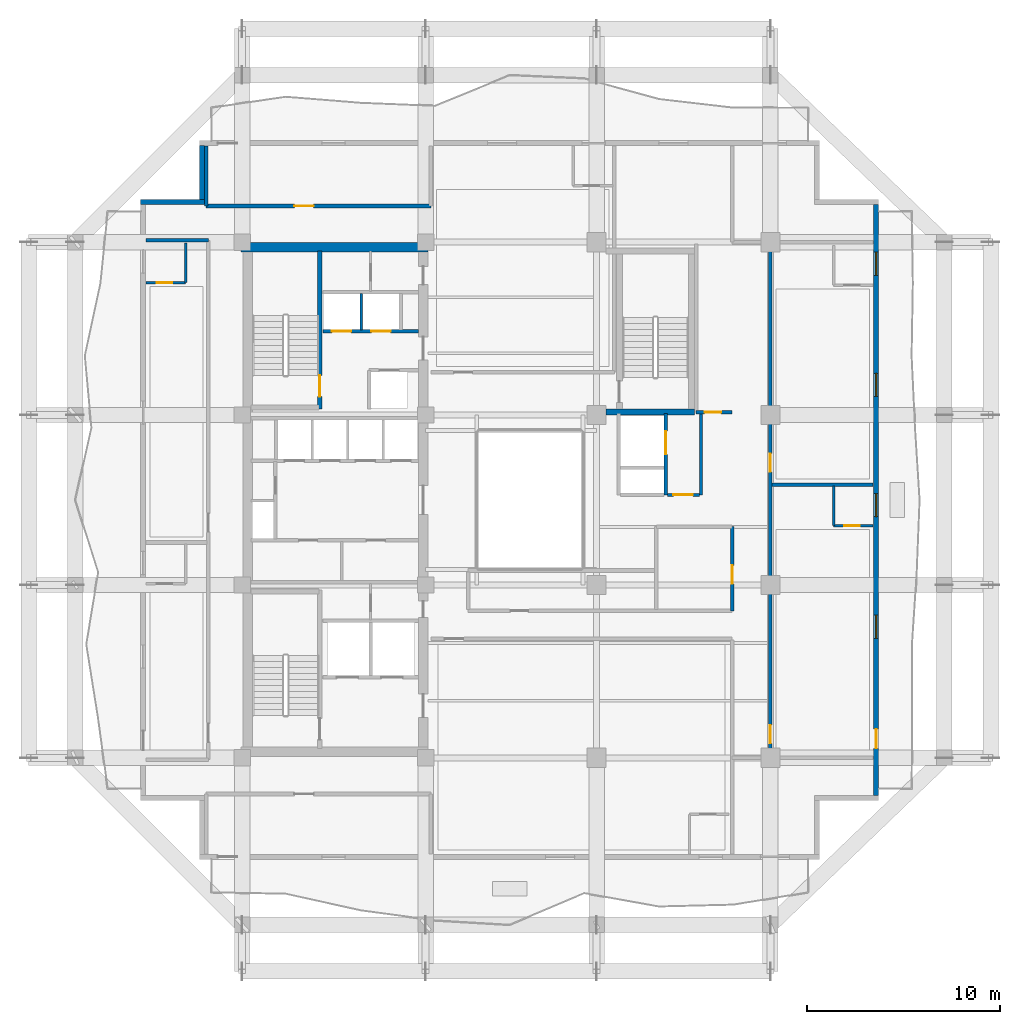
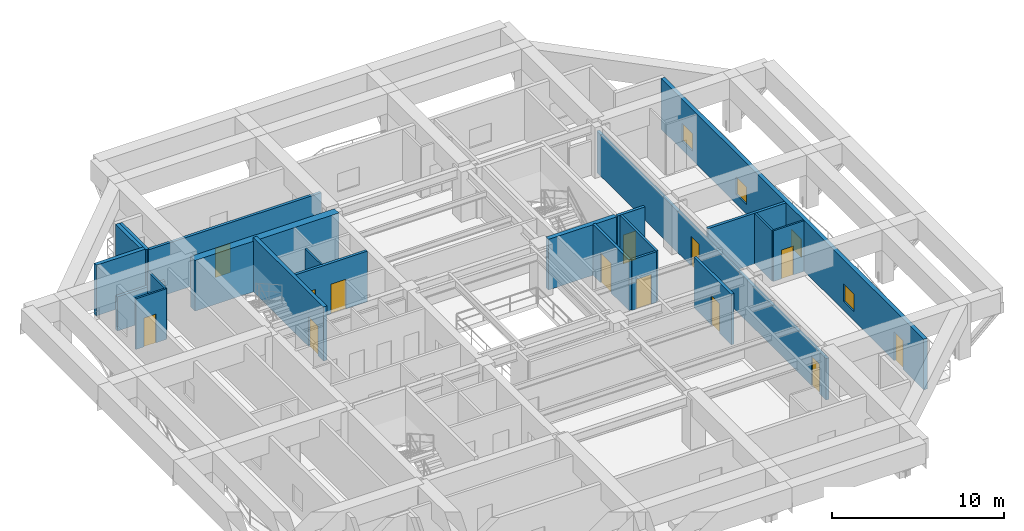
# One storey, part 5 of 11: 22 walls, 13 doors, 4 windows, 17 openings.
"""IFC4 building model written with IfcOpenShell, lengths in metres."""

import ifcopenshell
import ifcopenshell.guid

model = None  # the IFC model being written
_history = None  # IfcOwnerHistory: only IFC2X3 demands one
_inside = {}  # id of a spatial element -> (the spatial element, [elements in it])
_under = {}  # id of a project, library or spatial element -> (it, [spatial elements below it])
_declared = {}  # id of a project -> (the project, [libraries it declares])
_typed = {}  # id of a type object -> (the type object, [elements of that type])
_made_of = {}  # id of a material, layer set ... -> (it, [elements and type objects made of it])


def new_model(schema):
    """Start an empty IFC model of exactly this schema.

    Asked for "IFC4X3", IfcOpenShell would pick the latest addendum, in which some entities
    have other attributes; the version numbers below select the first issue.
    IFC2X3 requires an IfcOwnerHistory on every rooted entity: one is made here for all.
    """
    global model, _history
    if schema == "IFC4X3":
        model = ifcopenshell.file(schema_version=(4, 3, 0, 0))
    else:
        model = ifcopenshell.file(schema=schema)
    _inside.clear()
    _under.clear()
    _declared.clear()
    _typed.clear()
    _made_of.clear()
    _history = None
    if model.schema == "IFC2X3":
        org = make("IfcOrganization", Name="unknown")
        user = make(
            "IfcPersonAndOrganization",
            ThePerson=make("IfcPerson", FamilyName="unknown"),
            TheOrganization=org,
        )
        app = make(
            "IfcApplication",
            ApplicationDeveloper=org,
            Version="unknown",
            ApplicationFullName="unknown",
            ApplicationIdentifier="unknown",
        )
        _history = make(
            "IfcOwnerHistory",
            OwningUser=user,
            OwningApplication=app,
            ChangeAction="ADDED",
            CreationDate=0,
        )
    return model


def make(cls, **values):
    """One entity of the class cls with the attributes given. An attribute that is None is left unset."""
    return model.create_entity(
        cls, **{name: value for name, value in values.items() if value is not None}
    )


def rooted(cls, **values):
    """An entity with a GlobalId (a new one), such as an element, a storey or a relation."""
    return make(cls, GlobalId=ifcopenshell.guid.new(), OwnerHistory=_history, **values)


def si_unit(unit_type, name, prefix=None):
    """IfcSIUnit, for example si_unit("LENGTHUNIT", "METRE", prefix="MILLI")."""
    return make("IfcSIUnit", UnitType=unit_type, Prefix=prefix, Name=name)


def assignment(units):
    """IfcUnitAssignment: the units of a project."""
    return None if units is None else make("IfcUnitAssignment", Units=units)


def point(xyz):
    """IfcCartesianPoint."""
    return None if xyz is None else make("IfcCartesianPoint", Coordinates=xyz)


def direction(xyz):
    """IfcDirection."""
    return None if xyz is None else make("IfcDirection", DirectionRatios=xyz)


def frame(location, z_axis=None, x_axis=None):
    """IfcAxis2Placement3D, a coordinate frame: its origin and axes. An axis left out is left unset."""
    return make(
        "IfcAxis2Placement3D",
        Location=point(location),
        Axis=direction(z_axis),
        RefDirection=direction(x_axis),
    )


def frame_2d(location, x_axis=None):
    """IfcAxis2Placement2D, a coordinate frame in the plane: its origin and x axis."""
    return make(
        "IfcAxis2Placement2D", Location=point(location), RefDirection=direction(x_axis)
    )


def origin():
    """The frame at (0, 0, 0) with its axes left unset."""
    return frame((0.0, 0.0, 0.0))


def place(relative_to, where):
    """IfcLocalPlacement: puts the frame where relative to a parent placement (None: the world)."""
    return make(
        "IfcLocalPlacement", PlacementRelTo=relative_to, RelativePlacement=where
    )


def context(
    kind, dimensions, precision=None, world=None, true_north=None, identifier=None
):
    """IfcGeometricRepresentationContext, for example the 3D "Model" context."""
    return make(
        "IfcGeometricRepresentationContext",
        ContextIdentifier=identifier,
        ContextType=kind,
        CoordinateSpaceDimension=dimensions,
        Precision=precision,
        WorldCoordinateSystem=world,
        TrueNorth=true_north,
    )


def subcontext(parent, identifier, kind, view, scale=None):
    """IfcGeometricRepresentationSubContext, for example "Body" below "Model"."""
    return make(
        "IfcGeometricRepresentationSubContext",
        ContextIdentifier=identifier,
        ContextType=kind,
        ParentContext=parent,
        TargetScale=scale,
        TargetView=view,
    )


def project(units=None, contexts=None):
    """IfcProject with its units and contexts."""
    return rooted(
        "IfcProject",
        Name="project",
        RepresentationContexts=contexts,
        UnitsInContext=assignment(units),
    )


def spatial(cls, under=None, at=None, **own):
    """A site, building, storey or space (cls), placed at a placement, below another one or the project."""
    s = rooted(cls, ObjectPlacement=at, **own)
    if under is not None:
        _under.setdefault(under.id(), (under, []))[1].append(s)
    return s


def profile(cls, at=None, kind="AREA", **sizes):
    """A parametric profile (cls). Its sizes go by their IFC names, for example OverallWidth=200.0."""
    return make(cls, ProfileType=kind, Position=at, **sizes)


def rectangle(**sizes):
    """IfcRectangleProfileDef."""
    return profile("IfcRectangleProfileDef", **sizes)


def extrude(swept, where, along, depth):
    """IfcExtrudedAreaSolid: the profile swept, set in the frame where, extruded along a direction by depth."""
    return make(
        "IfcExtrudedAreaSolid",
        SweptArea=swept,
        Position=where,
        ExtrudedDirection=direction(along),
        Depth=depth,
    )


def shape(context_of_items, identifier, shape_type, items):
    """IfcShapeRepresentation: the items that make up one representation, for example the "Body"."""
    return make(
        "IfcShapeRepresentation",
        ContextOfItems=context_of_items,
        RepresentationIdentifier=identifier,
        RepresentationType=shape_type,
        Items=items,
    )


def material(Name=None, Category=None):
    """IfcMaterial."""
    return make("IfcMaterial", Name=Name, Category=Category)


def layer(
    of_material, thickness, ventilated=None, Name=None, Category=None, Priority=None
):
    """IfcMaterialLayer: one layer of a wall or slab, of a material (None: an air gap)."""
    return make(
        "IfcMaterialLayer",
        Material=of_material,
        LayerThickness=thickness,
        IsVentilated=ventilated,
        Name=Name,
        Category=Category,
        Priority=Priority,
    )


def layer_set(layers, Name=None):
    """IfcMaterialLayerSet."""
    return make("IfcMaterialLayerSet", MaterialLayers=layers, LayerSetName=Name)


def made_of(thing, what):
    """Note that an element or type object is made of a material, layer set ...; save() writes the relation."""
    if what is not None:
        _made_of.setdefault(what.id(), (what, []))[1].append(thing)
    return thing


def type_object(cls, material=None, **own):
    """A type object (cls), such as IfcWallType, which elements share."""
    return made_of(rooted(cls, **own), material)


def element(
    cls,
    number,
    at=None,
    inside=None,
    cuts=None,
    type_object=None,
    material=None,
    context=None,
    identifier="Body",
    shape_type=None,
    held_by="IfcProductDefinitionShape",
    body=None,
    shapes=None,
    **own,
):
    """One element of the class cls, such as IfcWall. Its Tag is "e" and its number.

    at: its placement. inside: the storey or other place that contains it. cuts: it is an
    opening in that element (IfcRelVoidsElement). A single representation is given by context,
    identifier, shape_type and body (its items); several are given by shapes. held_by: the class
    of the entity that holds the representations. save() writes the other relations.
    """
    e = rooted(cls, Tag="e%d" % number, ObjectPlacement=at, **own)
    if body is not None:
        shapes = [shape(context, identifier, shape_type, body)]
    if shapes is not None:
        e.Representation = make(held_by, Representations=shapes)
    if inside is not None:
        _inside.setdefault(inside.id(), (inside, []))[1].append(e)
    if cuts is not None:
        rooted(
            "IfcRelVoidsElement", RelatingBuildingElement=cuts, RelatedOpeningElement=e
        )
    if type_object is not None:
        _typed.setdefault(type_object.id(), (type_object, []))[1].append(e)
    return made_of(e, material)


def fill(opening, filler):
    """IfcRelFillsElement: the door or window that sits in an opening."""
    return rooted(
        "IfcRelFillsElement",
        RelatingOpeningElement=opening,
        RelatedBuildingElement=filler,
    )


def aggregate(whole, parts):
    """IfcRelAggregates: a whole, such as a stair, and the parts it consists of."""
    return rooted("IfcRelAggregates", RelatingObject=whole, RelatedObjects=parts)


def save(model, path):
    """Write the relations noted so far, then the file.

    IfcRelAggregates (storeys below a building ...), IfcRelContainedInSpatialStructure (elements
    in a storey), IfcRelDefinesByType, IfcRelAssociatesMaterial and IfcRelDeclares: one each for
    every whole, place, type object, material and project.
    """
    for whole, parts in _under.values():
        aggregate(whole, parts)
    for where, things in _inside.values():
        rooted(
            "IfcRelContainedInSpatialStructure",
            RelatedElements=things,
            RelatingStructure=where,
        )
    for kind, things in _typed.values():
        rooted("IfcRelDefinesByType", RelatedObjects=things, RelatingType=kind)
    for what, things in _made_of.values():
        rooted("IfcRelAssociatesMaterial", RelatedObjects=things, RelatingMaterial=what)
    for by, libraries in _declared.values():
        rooted("IfcRelDeclares", RelatingContext=by, RelatedDefinitions=libraries)
    model.write(path)


model = new_model("IFC4")

# Units and contexts
model_context = context("Model", 3, precision=1e-05, world=origin(), true_north=direction((0.0, 1.0)))
body_context = subcontext(model_context, "Body", "Model", "MODEL_VIEW")
ifc_project = project(units=[si_unit("LENGTHUNIT", "METRE"), si_unit("AREAUNIT", "SQUARE_METRE"), si_unit("VOLUMEUNIT", "CUBIC_METRE"), si_unit("PLANEANGLEUNIT", "RADIAN"), si_unit("MASSUNIT", "GRAM", prefix="KILO")], contexts=[model_context])

# Site, building, storey
site_placement = place(None, origin())
site = spatial("IfcSite", under=ifc_project, at=site_placement, CompositionType="ELEMENT")
building_placement = place(site_placement, origin())
building = spatial("IfcBuilding", under=site, at=building_placement, Name="Kundavana Baori Tower", CompositionType="ELEMENT")
storey_placement = place(building_placement, frame((0.0, 0.0, 154.050048828125)))
storey = spatial("IfcBuildingStorey", under=building, at=storey_placement, Name="L37", CompositionType="ELEMENT", Elevation=154.050048828125)

# Wall, opening, door
ifc_material_1 = material(Name="Concrete C50/60", Category="concrete")
ifc_layer_1 = layer(ifc_material_1, 0.39990234375, Name="WL-CORE-400")
ifc_layer_set_1 = layer_set([ifc_layer_1], Name="Concrete C50/60")
wall_type_1 = type_object("IfcWallType", Name="WL-CORE-400", PredefinedType="SHEAR", material=ifc_layer_set_1)
wall_1_placement = place(storey_placement, frame((19.4599609375, 33.300048828125, 0.0), z_axis=(0.0, 0.0, 1.0), x_axis=(0.0, 1.0, 0.0)))
wall_1 = element("IfcWall", 1, at=wall_1_placement, inside=storey, type_object=wall_type_1, Name="WL-L37-ST2-E", PredefinedType="SHEAR", context=body_context, shape_type="SweptSolid", body=[
    extrude(rectangle(XDim=8.179931640625, YDim=0.239990234375, at=frame_2d((4.08984375, 0.0))), origin(), (0.0, 0.0, 1.0), 3.849853515625),
])
opening_1_placement = place(wall_1_placement, frame((0.64990234375, 0.0, 0.0)))
opening_1 = element("IfcOpeningElement", 2, at=opening_1_placement, cuts=wall_1, Name="Opening FD-110", PredefinedType="OPENING", context=body_context, shape_type="SweptSolid", body=[
    extrude(rectangle(XDim=1.10009765625, YDim=2.10009765625, at=frame_2d((0.550048828125, 1.050048828125))), frame((0.0, 0.1298828125, 0.0), z_axis=(0.0, -1.0, 0.0), x_axis=(1.0, 0.0, 0.0)), (0.0, 0.0, 1.0), 0.260009765625),
])
ifc_material_2 = material(Name="Galvanised Steel Fire-Rated Door Leaf", Category="steel")
door_type_1 = type_object("IfcDoorType", Name="DR-FD120-1100", OperationType="NOTDEFINED", PredefinedType="DOOR", material=ifc_material_2)
door_1_placement = place(opening_1_placement, origin())
door_1 = element("IfcDoor", 3, at=door_1_placement, inside=storey, type_object=door_type_1, Name="DR-L37-ST2", OperationType="SINGLE_SWING_RIGHT", OverallHeight=2.10009765625, OverallWidth=1.10009765625, PredefinedType="DOOR", context=body_context, shape_type="SweptSolid", body=[
    extrude(rectangle(XDim=1.10009765625, YDim=2.10009765625, at=frame_2d((0.550048828125, 1.050048828125))), frame((0.0, 0.02490234375, 0.0), z_axis=(0.0, -1.0, 0.0), x_axis=(1.0, 0.0, 0.0)), (0.0, 0.0, 1.0), 0.050048828125),
])
fill(opening_1, door_1)

# Wall
ifc_material_3 = material(Name="Concrete C50/60", Category="concrete")
ifc_layer_2 = layer(ifc_material_3, 0.5, Name="WL-CORE-500")
ifc_layer_set_2 = layer_set([ifc_layer_2], Name="Concrete C50/60")
wall_type_2 = type_object("IfcWallType", Name="WL-CORE-500", PredefinedType="SHEAR", material=ifc_layer_set_2)
wall_2_placement = place(storey_placement, frame((15.39990234375, 41.68994140625, 0.0), z_axis=(0.0, 0.0, 1.0), x_axis=(1.0, 0.0, 0.0)))
element("IfcWall", 4, at=wall_2_placement, inside=storey, type_object=wall_type_2, Name="L37 Offset Core North Shear Wall", PredefinedType="SHEAR", context=body_context, shape_type="SweptSolid", body=[
    extrude(rectangle(XDim=9.68017578125, YDim=0.5, at=frame_2d((4.840087890625, 0.0))), origin(), (0.0, 0.0, 1.0), 3.599853515625),
])

# Wall, openings, door, windows
ifc_material_4 = material(Name="Kiln-Fired Terracotta Brick-Slip Masonry on Concrete C40/50", Category="masonry")
ifc_layer_3 = layer(ifc_material_4, 0.260009765625, Name="WL-EXT-BRK-260")
ifc_layer_set_3 = layer_set([ifc_layer_3], Name="Kiln-Fired Terracotta Brick-Slip Masonry on Concrete C40/50")
wall_type_3 = type_object("IfcWallType", Name="WL-EXT-BRK-260", PredefinedType="SOLIDWALL", material=ifc_layer_set_3)
wall_3_placement = place(storey_placement, frame((48.27001953125, 13.31005859375, 0.0), z_axis=(0.0, 0.0, 1.0), x_axis=(0.0, 1.0, 0.0)))
wall_3 = element("IfcWall", 5, at=wall_3_placement, inside=storey, type_object=wall_type_3, Name="L37 Exterior Insulated Facade Wall 04", PredefinedType="SOLIDWALL", context=body_context, shape_type="SweptSolid", body=[
    extrude(rectangle(XDim=30.579833984375, YDim=0.260009765625, at=frame_2d((15.2900390625, 0.0))), origin(), (0.0, 0.0, 1.0), 3.599853515625),
])
opening_2_placement = place(wall_3_placement, frame((2.429931640625, 0.0, 0.0)))
opening_2 = element("IfcOpeningElement", 6, at=opening_2_placement, cuts=wall_3, Name="Opening BD-1", PredefinedType="OPENING", context=body_context, shape_type="SweptSolid", body=[
    extrude(rectangle(XDim=1.0, YDim=2.050048828125, at=frame_2d((0.5, 1.02490234375))), frame((0.0, 0.14013671875, 0.0), z_axis=(0.0, -1.0, 0.0), x_axis=(1.0, 0.0, 0.0)), (0.0, 0.0, 1.0), 0.280029296875),
])
opening_3_placement = place(wall_3_placement, frame((8.125, 0.0, 0.64990234375)))
opening_3 = element("IfcOpeningElement", 7, at=opening_3_placement, cuts=wall_3, Name="Opening W-12", PredefinedType="OPENING", context=body_context, shape_type="SweptSolid", body=[
    extrude(rectangle(XDim=1.199951171875, YDim=1.25, at=frame_2d((0.60009765625, 0.625))), frame((0.0, 0.14013671875, 0.0), z_axis=(0.0, -1.0, 0.0), x_axis=(1.0, 0.0, 0.0)), (0.0, 0.0, 1.0), 0.280029296875),
])
opening_4_placement = place(wall_3_placement, frame((14.425048828125, 0.0, 0.64990234375)))
opening_4 = element("IfcOpeningElement", 8, at=opening_4_placement, cuts=wall_3, Name="Opening W-12", PredefinedType="OPENING", context=body_context, shape_type="SweptSolid", body=[
    extrude(rectangle(XDim=1.199951171875, YDim=1.25, at=frame_2d((0.60009765625, 0.625))), frame((0.0, 0.14013671875, 0.0), z_axis=(0.0, -1.0, 0.0), x_axis=(1.0, 0.0, 0.0)), (0.0, 0.0, 1.0), 0.280029296875),
])
opening_5_placement = place(wall_3_placement, frame((20.64990234375, 0.0, 0.64990234375)))
opening_5 = element("IfcOpeningElement", 9, at=opening_5_placement, cuts=wall_3, Name="Opening W-12", PredefinedType="OPENING", context=body_context, shape_type="SweptSolid", body=[
    extrude(rectangle(XDim=1.199951171875, YDim=1.25, at=frame_2d((0.60009765625, 0.625))), frame((0.0, 0.14013671875, 0.0), z_axis=(0.0, -1.0, 0.0), x_axis=(1.0, 0.0, 0.0)), (0.0, 0.0, 1.0), 0.280029296875),
])
opening_6_placement = place(wall_3_placement, frame((26.925048828125, 0.0, 0.64990234375)))
opening_6 = element("IfcOpeningElement", 10, at=opening_6_placement, cuts=wall_3, Name="Opening W-12", PredefinedType="OPENING", context=body_context, shape_type="SweptSolid", body=[
    extrude(rectangle(XDim=1.199951171875, YDim=1.25, at=frame_2d((0.60009765625, 0.625))), frame((0.0, 0.14013671875, 0.0), z_axis=(0.0, -1.0, 0.0), x_axis=(1.0, 0.0, 0.0)), (0.0, 0.0, 1.0), 0.280029296875),
])
ifc_material_5 = material(Name="Architectural Patinated Bronze Metalwork")
door_type_2 = type_object("IfcDoorType", Name="DR-EXT-LOG-1000", OperationType="NOTDEFINED", PredefinedType="DOOR", material=ifc_material_5)
door_2_placement = place(opening_2_placement, frame((1.0, 0.0, 0.0), z_axis=(0.0, 0.0, 1.0), x_axis=(-1.0, 0.0, 0.0)))
door_2 = element("IfcDoor", 11, at=door_2_placement, inside=storey, type_object=door_type_2, Name="L37 Loggia Balcony Access Door E", OperationType="SINGLE_SWING_RIGHT", OverallHeight=2.050048828125, OverallWidth=1.0, PredefinedType="DOOR", context=body_context, shape_type="SweptSolid", body=[
    extrude(rectangle(XDim=1.0, YDim=2.050048828125, at=frame_2d((0.5, 1.02490234375))), frame((0.0, 0.02490234375, 0.0), z_axis=(0.0, -1.0, 0.0), x_axis=(1.0, 0.0, 0.0)), (0.0, 0.0, 1.0), 0.050048828125),
])
fill(opening_2, door_2)
ifc_material_6 = material(Name="Double-Glazed Solar-Control Low-E Insulated Glass", Category="glass")
window_type = type_object("IfcWindowType", Name="WIN-TRN-1200x1250", PartitioningType="SINGLE_PANEL", PredefinedType="WINDOW", material=ifc_material_6)
window_1_placement = place(opening_3_placement, origin())
window_1 = element("IfcWindow", 12, at=window_1_placement, inside=storey, type_object=window_type, Name="L37 Recessed Loggia Window E-1", OverallHeight=1.25, OverallWidth=1.199951171875, PartitioningType="SINGLE_PANEL", PredefinedType="WINDOW", context=body_context, shape_type="SweptSolid", body=[
    extrude(rectangle(XDim=1.199951171875, YDim=1.25, at=frame_2d((0.60009765625, 0.625))), frame((0.0, 0.030029296875, 0.0), z_axis=(0.0, -1.0, 0.0), x_axis=(1.0, 0.0, 0.0)), (0.0, 0.0, 1.0), 0.06005859375),
])
fill(opening_3, window_1)
window_2_placement = place(opening_4_placement, origin())
window_2 = element("IfcWindow", 13, at=window_2_placement, inside=storey, type_object=window_type, Name="L37 Recessed Loggia Window E-2", OverallHeight=1.25, OverallWidth=1.199951171875, PartitioningType="SINGLE_PANEL", PredefinedType="WINDOW", context=body_context, shape_type="SweptSolid", body=[
    extrude(rectangle(XDim=1.199951171875, YDim=1.25, at=frame_2d((0.60009765625, 0.625))), frame((0.0, 0.030029296875, 0.0), z_axis=(0.0, -1.0, 0.0), x_axis=(1.0, 0.0, 0.0)), (0.0, 0.0, 1.0), 0.06005859375),
])
fill(opening_4, window_2)
window_3_placement = place(opening_5_placement, origin())
window_3 = element("IfcWindow", 14, at=window_3_placement, inside=storey, type_object=window_type, Name="L37 Recessed Loggia Window E-3", OverallHeight=1.25, OverallWidth=1.199951171875, PartitioningType="SINGLE_PANEL", PredefinedType="WINDOW", context=body_context, shape_type="SweptSolid", body=[
    extrude(rectangle(XDim=1.199951171875, YDim=1.25, at=frame_2d((0.60009765625, 0.625))), frame((0.0, 0.030029296875, 0.0), z_axis=(0.0, -1.0, 0.0), x_axis=(1.0, 0.0, 0.0)), (0.0, 0.0, 1.0), 0.06005859375),
])
fill(opening_5, window_3)
window_4_placement = place(opening_6_placement, origin())
window_4 = element("IfcWindow", 15, at=window_4_placement, inside=storey, type_object=window_type, Name="L37 Recessed Loggia Window E-4", OverallHeight=1.25, OverallWidth=1.199951171875, PartitioningType="SINGLE_PANEL", PredefinedType="WINDOW", context=body_context, shape_type="SweptSolid", body=[
    extrude(rectangle(XDim=1.199951171875, YDim=1.25, at=frame_2d((0.60009765625, 0.625))), frame((0.0, 0.030029296875, 0.0), z_axis=(0.0, -1.0, 0.0), x_axis=(1.0, 0.0, 0.0)), (0.0, 0.0, 1.0), 0.06005859375),
])
fill(opening_6, window_4)

# Walls
wall_4_placement = place(storey_placement, frame((13.3798828125, 46.93994140625, 0.0), z_axis=(0.0, 0.0, 1.0), x_axis=(0.0, -1.0, 0.0)))
element("IfcWall", 16, at=wall_4_placement, inside=storey, type_object=wall_type_3, Name="L37 Exterior Insulated Facade Wall 08", PredefinedType="SOLIDWALL", context=body_context, shape_type="SweptSolid", body=[
    extrude(rectangle(XDim=2.7900390625, YDim=0.260009765625, at=frame_2d((1.39501953125, 0.0))), origin(), (0.0, 0.0, 1.0), 3.599853515625),
])
wall_5_placement = place(storey_placement, frame((13.510009765625, 44.02001953125, 0.0), z_axis=(0.0, 0.0, 1.0), x_axis=(-1.0, 0.0, 0.0)))
element("IfcWall", 17, at=wall_5_placement, inside=storey, type_object=wall_type_3, Name="L37 Exterior Insulated Facade Wall 09", PredefinedType="SOLIDWALL", context=body_context, shape_type="SweptSolid", body=[
    extrude(rectangle(XDim=3.31005859375, YDim=0.260009765625, at=frame_2d((1.655029296875, 0.0))), origin(), (0.0, 0.0, 1.0), 3.599853515625),
])
ifc_material_7 = material(Name="Acoustic Gypsum Plasterboard on Galvanised Steel Studs", Category="steel")
ifc_layer_4 = layer(ifc_material_7, 0.1201171875, Name="WL-PART-120")
ifc_layer_set_4 = layer_set([ifc_layer_4], Name="Acoustic Gypsum Plasterboard on Galvanised Steel Studs")
wall_type_4 = type_object("IfcWallType", Name="WL-PART-120", PredefinedType="PARTITIONING", material=ifc_layer_set_4)
wall_6_placement = place(storey_placement, frame((21.6201171875, 37.39990234375, 0.0), z_axis=(0.0, 0.0, 1.0), x_axis=(0.0, 1.0, 0.0)))
element("IfcWall", 18, at=wall_6_placement, inside=storey, type_object=wall_type_4, Name="WL-L37-HR-DIV1", PredefinedType="PARTITIONING", context=body_context, shape_type="SweptSolid", body=[
    extrude(rectangle(XDim=1.900146484375, YDim=0.1201171875, at=frame_2d((0.9501953125, 0.0))), origin(), (0.0, 0.0, 1.0), 3.599853515625),
])
ifc_material_8 = material(Name="Fire-Rated Gypsum Drywall on Galvanised Steel Studs", Category="steel")
ifc_layer_5 = layer(ifc_material_8, 0.14990234375, Name="WL-PART-150")
ifc_layer_set_5 = layer_set([ifc_layer_5], Name="Fire-Rated Gypsum Drywall on Galvanised Steel Studs")
wall_type_5 = type_object("IfcWallType", Name="WL-PART-150", PredefinedType="PARTITIONING", material=ifc_layer_set_5)
wall_7_placement = place(storey_placement, frame((39.199951171875, 28.860107421875, 0.0), z_axis=(0.0, 0.0, 1.0), x_axis=(0.0, 1.0, 0.0)))
element("IfcWall", 19, at=wall_7_placement, inside=storey, type_object=wall_type_5, Name="WL-L37-SVLOB-E", PredefinedType="PARTITIONING", context=body_context, shape_type="SweptSolid", body=[
    extrude(rectangle(XDim=4.219970703125, YDim=0.14990234375, at=frame_2d((2.10986328125, 0.0))), origin(), (0.0, 0.0, 1.0), 3.599853515625),
])

# Wall, opening, door
wall_8_placement = place(storey_placement, frame((37.47998046875, 28.860107421875, 0.0), z_axis=(0.0, 0.0, 1.0), x_axis=(1.0, 0.0, 0.0)))
wall_8 = element("IfcWall", 20, at=wall_8_placement, inside=storey, type_object=wall_type_5, Name="WL-L37-SVLOB-S", PredefinedType="PARTITIONING", context=body_context, shape_type="SweptSolid", body=[
    extrude(rectangle(XDim=1.64013671875, YDim=0.14990234375, at=frame_2d((0.820068359375, 0.0))), origin(), (0.0, 0.0, 1.0), 3.599853515625),
])
opening_7_placement = place(wall_8_placement, frame((0.300048828125, 0.0, 0.0)))
opening_7 = element("IfcOpeningElement", 21, at=opening_7_placement, cuts=wall_8, Name="Opening FD-100", PredefinedType="OPENING", context=body_context, shape_type="SweptSolid", body=[
    extrude(rectangle(XDim=1.0, YDim=2.10009765625, at=frame_2d((0.5, 1.050048828125))), frame((0.0, 0.0849609375, 0.0), z_axis=(0.0, -1.0, 0.0), x_axis=(1.0, 0.0, 0.0)), (0.0, 0.0, 1.0), 0.169921875),
])
ifc_material_9 = material(Name="Engineered Teak Fire-Rated Timber Door Leaf", Category="wood")
door_type_3 = type_object("IfcDoorType", Name="DR-FD60-1000", OperationType="NOTDEFINED", PredefinedType="DOOR", material=ifc_material_9)
door_3_placement = place(opening_7_placement, origin())
door_3 = element("IfcDoor", 22, at=door_3_placement, inside=storey, type_object=door_type_3, Name="DR-L37-SVLOB-OUT", OperationType="SINGLE_SWING_LEFT", OverallHeight=2.10009765625, OverallWidth=1.0, PredefinedType="DOOR", context=body_context, shape_type="SweptSolid", body=[
    extrude(rectangle(XDim=1.0, YDim=2.10009765625, at=frame_2d((0.5, 1.050048828125))), frame((0.0, 0.02490234375, 0.0), z_axis=(0.0, -1.0, 0.0), x_axis=(1.0, 0.0, 0.0)), (0.0, 0.0, 1.0), 0.050048828125),
])
fill(opening_7, door_3)

# Wall, openings, doors
ifc_material_10 = material(Name="Autoclaved Aerated Concrete Blockwork Masonry", Category="masonry")
ifc_layer_6 = layer(ifc_material_10, 0.18505859375, Name="WL-PART-180")
ifc_layer_set_6 = layer_set([ifc_layer_6], Name="Autoclaved Aerated Concrete Blockwork Masonry")
wall_type_6 = type_object("IfcWallType", Name="WL-PART-180", PredefinedType="SOLIDWALL", material=ifc_layer_set_6)
wall_9_placement = place(storey_placement, frame((42.800048828125, 15.25, 0.0), z_axis=(0.0, 0.0, 1.0), x_axis=(0.0, 1.0, 0.0)))
wall_9 = element("IfcWall", 23, at=wall_9_placement, inside=storey, type_object=wall_type_6, Name="WL-L37-HE", PredefinedType="SOLIDWALL", context=body_context, shape_type="SweptSolid", body=[
    extrude(rectangle(XDim=26.699951171875, YDim=0.18505859375, at=frame_2d((13.35009765625, 0.0))), origin(), (0.0, 0.0, 1.0), 2.949951171875),
])
opening_8_placement = place(wall_9_placement, frame((0.75, 0.0, 0.0)))
opening_8 = element("IfcOpeningElement", 24, at=opening_8_placement, cuts=wall_9, Name="Opening FD-095", PredefinedType="OPENING", context=body_context, shape_type="SweptSolid", body=[
    extrude(rectangle(XDim=0.949951171875, YDim=2.10009765625, at=frame_2d((0.47509765625, 1.050048828125))), frame((0.0, 0.1025390625, 0.0), z_axis=(0.0, -1.0, 0.0), x_axis=(1.0, 0.0, 0.0)), (0.0, 0.0, 1.0), 0.205078125),
])
opening_9_placement = place(wall_9_placement, frame((14.800048828125, 0.0, 0.0)))
opening_9 = element("IfcOpeningElement", 25, at=opening_9_placement, cuts=wall_9, Name="Opening FD-095", PredefinedType="OPENING", context=body_context, shape_type="SweptSolid", body=[
    extrude(rectangle(XDim=0.949951171875, YDim=2.10009765625, at=frame_2d((0.47509765625, 1.050048828125))), frame((0.0, 0.1025390625, 0.0), z_axis=(0.0, -1.0, 0.0), x_axis=(1.0, 0.0, 0.0)), (0.0, 0.0, 1.0), 0.205078125),
])
ifc_material_11 = material(Name="Engineered Teak Fire-Rated Timber Door Leaf", Category="wood")
door_type_4 = type_object("IfcDoorType", Name="DR-FD60-950", OperationType="NOTDEFINED", PredefinedType="DOOR", material=ifc_material_11)
door_4_placement = place(opening_8_placement, origin())
door_4 = element("IfcDoor", 26, at=door_4_placement, inside=storey, type_object=door_type_4, Name="DR-L37-HK-E1-ENT", OperationType="SINGLE_SWING_LEFT", OverallHeight=2.10009765625, OverallWidth=0.949951171875, PredefinedType="DOOR", context=body_context, shape_type="SweptSolid", body=[
    extrude(rectangle(XDim=0.949951171875, YDim=2.10009765625, at=frame_2d((0.47509765625, 1.050048828125))), frame((0.0, 0.02490234375, 0.0), z_axis=(0.0, -1.0, 0.0), x_axis=(1.0, 0.0, 0.0)), (0.0, 0.0, 1.0), 0.050048828125),
])
fill(opening_8, door_4)
door_5_placement = place(opening_9_placement, origin())
door_5 = element("IfcDoor", 27, at=door_5_placement, inside=storey, type_object=door_type_4, Name="DR-L37-HK-E2-ENT", OperationType="SINGLE_SWING_LEFT", OverallHeight=2.10009765625, OverallWidth=0.949951171875, PredefinedType="DOOR", context=body_context, shape_type="SweptSolid", body=[
    extrude(rectangle(XDim=0.949951171875, YDim=2.10009765625, at=frame_2d((0.47509765625, 1.050048828125))), frame((0.0, 0.02490234375, 0.0), z_axis=(0.0, -1.0, 0.0), x_axis=(1.0, 0.0, 0.0)), (0.0, 0.0, 1.0), 0.050048828125),
])
fill(opening_9, door_5)

# Wall, opening, door
wall_10_placement = place(storey_placement, frame((40.820068359375, 22.860107421875, 0.0), z_axis=(0.0, 0.0, 1.0), x_axis=(0.0, 1.0, 0.0)))
wall_10 = element("IfcWall", 28, at=wall_10_placement, inside=storey, type_object=wall_type_6, Name="WL-L37-HEW", PredefinedType="SOLIDWALL", context=body_context, shape_type="SweptSolid", body=[
    extrude(rectangle(XDim=4.35986328125, YDim=0.18505859375, at=frame_2d((2.179931640625, 0.0))), origin(), (0.0, 0.0, 1.0), 3.599853515625),
])
opening_10_placement = place(wall_10_placement, frame((1.39990234375, 0.0, 0.0)))
opening_10 = element("IfcOpeningElement", 29, at=opening_10_placement, cuts=wall_10, Name="Opening FD-095", PredefinedType="OPENING", context=body_context, shape_type="SweptSolid", body=[
    extrude(rectangle(XDim=0.949951171875, YDim=2.10009765625, at=frame_2d((0.47509765625, 1.050048828125))), frame((0.0, 0.1025390625, 0.0), z_axis=(0.0, -1.0, 0.0), x_axis=(1.0, 0.0, 0.0)), (0.0, 0.0, 1.0), 0.205078125),
])
door_6_placement = place(opening_10_placement, frame((0.949951171875, 0.0, 0.0), z_axis=(0.0, 0.0, 1.0), x_axis=(-1.0, 0.0, 0.0)))
door_6 = element("IfcDoor", 30, at=door_6_placement, inside=storey, type_object=door_type_4, Name="DR-L37-HSK", OperationType="SINGLE_SWING_RIGHT", OverallHeight=2.10009765625, OverallWidth=0.949951171875, PredefinedType="DOOR", context=body_context, shape_type="SweptSolid", body=[
    extrude(rectangle(XDim=0.949951171875, YDim=2.10009765625, at=frame_2d((0.47509765625, 1.050048828125))), frame((0.0, 0.02490234375, 0.0), z_axis=(0.0, -1.0, 0.0), x_axis=(1.0, 0.0, 0.0)), (0.0, 0.0, 1.0), 0.050048828125),
])
fill(opening_10, door_6)

# Wall
wall_11_placement = place(storey_placement, frame((10.47998046875, 42.0400390625, 0.0), z_axis=(0.0, 0.0, 1.0), x_axis=(1.0, 0.0, 0.0)))
element("IfcWall", 31, at=wall_11_placement, inside=storey, type_object=wall_type_6, Name="WL-L37-HWN", PredefinedType="SOLIDWALL", context=body_context, shape_type="SweptSolid", body=[
    extrude(rectangle(XDim=3.219970703125, YDim=0.18505859375, at=frame_2d((1.60986328125, 0.0))), origin(), (0.0, 0.0, 1.0), 2.429931640625),
])

# Wall, opening, door
wall_12_placement = place(storey_placement, frame((13.590087890625, 43.820068359375, 0.0), z_axis=(0.0, 0.0, 1.0), x_axis=(1.0, 0.0, 0.0)))
wall_12 = element("IfcWall", 32, at=wall_12_placement, inside=storey, type_object=wall_type_6, Name="WL-L37-HNC", PredefinedType="SOLIDWALL", context=body_context, shape_type="SweptSolid", body=[
    extrude(rectangle(XDim=11.6298828125, YDim=0.18505859375, at=frame_2d((5.81494140625, 0.0))), origin(), (0.0, 0.0, 1.0), 3.599853515625),
])
opening_11_placement = place(wall_12_placement, frame((4.56005859375, 0.0, 0.0)))
opening_11 = element("IfcOpeningElement", 33, at=opening_11_placement, cuts=wall_12, Name="Opening ID-100", PredefinedType="OPENING", context=body_context, shape_type="SweptSolid", body=[
    extrude(rectangle(XDim=1.0, YDim=2.080078125, at=frame_2d((0.5, 1.0400390625))), frame((0.0, 0.1025390625, 0.0), z_axis=(0.0, -1.0, 0.0), x_axis=(1.0, 0.0, 0.0)), (0.0, 0.0, 1.0), 0.205078125),
])
ifc_material_12 = material(Name="Engineered Teak Solid-Core Timber Veneer", Category="wood")
door_type_5 = type_object("IfcDoorType", Name="DR-INT-1000", OperationType="NOTDEFINED", PredefinedType="DOOR", material=ifc_material_12)
door_7_placement = place(opening_11_placement, origin())
door_7 = element("IfcDoor", 34, at=door_7_placement, inside=storey, type_object=door_type_5, Name="DR-L37-HMNW", OperationType="SINGLE_SWING_RIGHT", OverallHeight=2.080078125, OverallWidth=1.0, PredefinedType="DOOR", context=body_context, shape_type="SweptSolid", body=[
    extrude(rectangle(XDim=1.0, YDim=2.080078125, at=frame_2d((0.5, 1.0400390625))), frame((0.0, 0.02490234375, 0.0), z_axis=(0.0, -1.0, 0.0), x_axis=(1.0, 0.0, 0.0)), (0.0, 0.0, 1.0), 0.050048828125),
])
fill(opening_11, door_7)

# Walls
wall_13_placement = place(storey_placement, frame((13.590087890625, 43.820068359375, 0.0), z_axis=(0.0, 0.0, 1.0), x_axis=(0.0, 1.0, 0.0)))
element("IfcWall", 35, at=wall_13_placement, inside=storey, type_object=wall_type_6, Name="WL-L37-HNCW", PredefinedType="SOLIDWALL", context=body_context, shape_type="SweptSolid", body=[
    extrude(rectangle(XDim=3.099853515625, YDim=0.18505859375, at=frame_2d((1.5498046875, 0.0))), origin(), (0.0, 0.0, 1.0), 3.599853515625),
])
wall_14_placement = place(storey_placement, frame((42.8798828125, 29.39990234375, 0.0), z_axis=(0.0, 0.0, 1.0), x_axis=(1.0, 0.0, 0.0)))
element("IfcWall", 36, at=wall_14_placement, inside=storey, type_object=wall_type_6, Name="WL-L37-HED1", PredefinedType="SOLIDWALL", context=body_context, shape_type="SweptSolid", body=[
    extrude(rectangle(XDim=5.240234375, YDim=0.18505859375, at=frame_2d((2.6201171875, 0.0))), origin(), (0.0, 0.0, 1.0), 3.599853515625),
])

# Wall, opening, door
wall_15_placement = place(storey_placement, frame((38.949951171875, 33.14990234375, 0.0), z_axis=(0.0, 0.0, 1.0), x_axis=(1.0, 0.0, 0.0)))
wall_15 = element("IfcWall", 37, at=wall_15_placement, inside=storey, type_object=wall_type_6, Name="WL-L37-HNES", PredefinedType="SOLIDWALL", context=body_context, shape_type="SweptSolid", body=[
    extrude(rectangle(XDim=1.8701171875, YDim=0.18505859375, at=frame_2d((0.93505859375, 0.0))), origin(), (0.0, 0.0, 1.0), 3.599853515625),
])
opening_12_placement = place(wall_15_placement, frame((0.449951171875, 0.0, 0.0)))
opening_12 = element("IfcOpeningElement", 38, at=opening_12_placement, cuts=wall_15, Name="Opening WD-085", PredefinedType="OPENING", context=body_context, shape_type="SweptSolid", body=[
    extrude(rectangle(XDim=0.85009765625, YDim=2.050048828125, at=frame_2d((0.425048828125, 1.02490234375))), frame((0.0, 0.1025390625, 0.0), z_axis=(0.0, -1.0, 0.0), x_axis=(1.0, 0.0, 0.0)), (0.0, 0.0, 1.0), 0.205078125),
])
ifc_material_13 = material(Name="Engineered Teak Solid-Core Timber Veneer", Category="wood")
door_type_6 = type_object("IfcDoorType", Name="DR-WET-850", OperationType="NOTDEFINED", PredefinedType="DOOR", material=ifc_material_13)
door_8_placement = place(opening_12_placement, origin())
door_8 = element("IfcDoor", 39, at=door_8_placement, inside=storey, type_object=door_type_6, Name="DR-L37-HLNE", OperationType="SINGLE_SWING_LEFT", OverallHeight=2.050048828125, OverallWidth=0.85009765625, PredefinedType="DOOR", context=body_context, shape_type="SweptSolid", body=[
    extrude(rectangle(XDim=0.85009765625, YDim=2.050048828125, at=frame_2d((0.425048828125, 1.02490234375))), frame((0.0, 0.02490234375, 0.0), z_axis=(0.0, -1.0, 0.0), x_axis=(1.0, 0.0, 0.0)), (0.0, 0.0, 1.0), 0.050048828125),
])
fill(opening_12, door_8)

# Wall, openings, doors
ifc_material_14 = material(Name="Autoclaved Aerated Concrete Blockwork Masonry", Category="masonry")
ifc_layer_7 = layer(ifc_material_14, 0.179931640625, Name="WL-SHAFT-180")
ifc_layer_set_7 = layer_set([ifc_layer_7], Name="Autoclaved Aerated Concrete Blockwork Masonry")
wall_type_7 = type_object("IfcWallType", Name="WL-SHAFT-180", PredefinedType="SOLIDWALL", material=ifc_layer_set_7)
wall_16_placement = place(storey_placement, frame((19.639892578125, 37.340087890625, 0.0), z_axis=(0.0, 0.0, 1.0), x_axis=(1.0, 0.0, 0.0)))
wall_16 = element("IfcWall", 40, at=wall_16_placement, inside=storey, type_object=wall_type_7, Name="WL-L37-HRLOB-N", PredefinedType="SOLIDWALL", context=body_context, shape_type="SweptSolid", body=[
    extrude(rectangle(XDim=4.940185546875, YDim=0.179931640625, at=frame_2d((2.47021484375, 0.0))), origin(), (0.0, 0.0, 1.0), 3.599853515625),
])
opening_13_placement = place(wall_16_placement, frame((0.449951171875, 0.0, 0.0)))
opening_13 = element("IfcOpeningElement", 41, at=opening_13_placement, cuts=wall_16, Name="Opening LD-100", PredefinedType="OPENING", context=body_context, shape_type="SweptSolid", body=[
    extrude(rectangle(XDim=1.0, YDim=2.10009765625, at=frame_2d((0.5, 1.050048828125))), frame((0.0, 0.10009765625, 0.0), z_axis=(0.0, -1.0, 0.0), x_axis=(1.0, 0.0, 0.0)), (0.0, 0.0, 1.0), 0.199951171875),
])
opening_14_placement = place(wall_16_placement, frame((2.5, 0.0, 0.0)))
opening_14 = element("IfcOpeningElement", 42, at=opening_14_placement, cuts=wall_16, Name="Opening LD-100", PredefinedType="OPENING", context=body_context, shape_type="SweptSolid", body=[
    extrude(rectangle(XDim=1.0, YDim=2.10009765625, at=frame_2d((0.5, 1.050048828125))), frame((0.0, 0.10009765625, 0.0), z_axis=(0.0, -1.0, 0.0), x_axis=(1.0, 0.0, 0.0)), (0.0, 0.0, 1.0), 0.199951171875),
])
ifc_material_15 = material(Name="Galvanised Steel Fire-Rated Door Leaf", Category="steel")
door_type_7 = type_object("IfcDoorType", Name="DR-SLIDE-LD1000", OperationType="NOTDEFINED", PredefinedType="DOOR", material=ifc_material_15)
door_9_placement = place(opening_13_placement, frame((1.0, 0.0, 0.0), z_axis=(0.0, 0.0, 1.0), x_axis=(-1.0, 0.0, 0.0)))
door_9 = element("IfcDoor", 43, at=door_9_placement, inside=storey, type_object=door_type_7, Name="DR-L37-LD-LP09", OperationType="DOUBLE_DOOR_SLIDING", OverallHeight=2.10009765625, OverallWidth=1.0, PredefinedType="DOOR", context=body_context, shape_type="SweptSolid", body=[
    extrude(rectangle(XDim=1.0, YDim=2.10009765625, at=frame_2d((0.5, 1.050048828125))), frame((0.0, 0.02490234375, 0.0), z_axis=(0.0, -1.0, 0.0), x_axis=(1.0, 0.0, 0.0)), (0.0, 0.0, 1.0), 0.050048828125),
])
fill(opening_13, door_9)
door_10_placement = place(opening_14_placement, frame((1.0, 0.0, 0.0), z_axis=(0.0, 0.0, 1.0), x_axis=(-1.0, 0.0, 0.0)))
door_10 = element("IfcDoor", 44, at=door_10_placement, inside=storey, type_object=door_type_7, Name="DR-L37-LD-LP10", OperationType="DOUBLE_DOOR_SLIDING", OverallHeight=2.10009765625, OverallWidth=1.0, PredefinedType="DOOR", context=body_context, shape_type="SweptSolid", body=[
    extrude(rectangle(XDim=1.0, YDim=2.10009765625, at=frame_2d((0.5, 1.050048828125))), frame((0.0, 0.02490234375, 0.0), z_axis=(0.0, -1.0, 0.0), x_axis=(1.0, 0.0, 0.0)), (0.0, 0.0, 1.0), 0.050048828125),
])
fill(opening_14, door_10)

# Wall, opening, door
wall_17_placement = place(storey_placement, frame((37.389892578125, 28.860107421875, 0.0), z_axis=(0.0, 0.0, 1.0), x_axis=(0.0, 1.0, 0.0)))
wall_17 = element("IfcWall", 45, at=wall_17_placement, inside=storey, type_object=wall_type_7, Name="WL-L37-SVL-E", PredefinedType="SOLIDWALL", context=body_context, shape_type="SweptSolid", body=[
    extrude(rectangle(XDim=4.219970703125, YDim=0.179931640625, at=frame_2d((2.10986328125, 0.0))), origin(), (0.0, 0.0, 1.0), 3.599853515625),
])
opening_15_placement = place(wall_17_placement, frame((2.10009765625, 0.0, 0.0)))
opening_15 = element("IfcOpeningElement", 46, at=opening_15_placement, cuts=wall_17, Name="Opening LD-120", PredefinedType="OPENING", context=body_context, shape_type="SweptSolid", body=[
    extrude(rectangle(XDim=1.199951171875, YDim=2.1201171875, at=frame_2d((0.60009765625, 1.06005859375))), frame((0.0, 0.10009765625, 0.0), z_axis=(0.0, -1.0, 0.0), x_axis=(1.0, 0.0, 0.0)), (0.0, 0.0, 1.0), 0.199951171875),
])
ifc_material_16 = material(Name="Galvanised Steel Fire-Rated Door Leaf", Category="steel")
door_type_8 = type_object("IfcDoorType", Name="DR-SLIDE-LD1200", OperationType="NOTDEFINED", PredefinedType="DOOR", material=ifc_material_16)
door_11_placement = place(opening_15_placement, frame((1.199951171875, 0.0, 0.0), z_axis=(0.0, 0.0, 1.0), x_axis=(-1.0, 0.0, 0.0)))
door_11 = element("IfcDoor", 47, at=door_11_placement, inside=storey, type_object=door_type_8, Name="DR-L37-LD-SVL1", OperationType="DOUBLE_DOOR_SLIDING", OverallHeight=2.1201171875, OverallWidth=1.199951171875, PredefinedType="DOOR", context=body_context, shape_type="SweptSolid", body=[
    extrude(rectangle(XDim=1.199951171875, YDim=2.1201171875, at=frame_2d((0.60009765625, 1.06005859375))), frame((0.0, 0.02490234375, 0.0), z_axis=(0.0, -1.0, 0.0), x_axis=(1.0, 0.0, 0.0)), (0.0, 0.0, 1.0), 0.050048828125),
])
fill(opening_15, door_11)

# Walls
ifc_material_17 = material(Name="Concrete C50/60", Category="concrete")
ifc_layer_8 = layer(ifc_material_17, 0.300048828125, Name="WL-ST3-300")
ifc_layer_set_8 = layer_set([ifc_layer_8], Name="Concrete C50/60")
wall_type_8 = type_object("IfcWallType", Name="WL-ST3-300", PredefinedType="SHEAR", material=ifc_layer_set_8)
wall_18_placement = place(storey_placement, frame((34.300048828125, 33.159912109375, 0.0), z_axis=(0.0, 0.0, 1.0), x_axis=(1.0, 0.0, 0.0)))
element("IfcWall", 48, at=wall_18_placement, inside=storey, type_object=wall_type_8, Name="L37 Stair ST3 South Shear Wall", PredefinedType="SHEAR", context=body_context, shape_type="SweptSolid", body=[
    extrude(rectangle(XDim=4.570068359375, YDim=0.300048828125, at=frame_2d((2.28515625, 0.0))), origin(), (0.0, 0.0, 1.0), 3.599853515625),
])
ifc_material_18 = material(Name="Autoclaved Aerated Concrete Blockwork Masonry", Category="masonry")
ifc_layer_9 = layer(ifc_material_18, 0.125, Name="WL-WET-120")
ifc_layer_set_9 = layer_set([ifc_layer_9], Name="Autoclaved Aerated Concrete Blockwork Masonry")
wall_type_9 = type_object("IfcWallType", Name="WL-WET-120", PredefinedType="PLUMBINGWALL", material=ifc_layer_set_9)
wall_19_placement = place(storey_placement, frame((12.530029296875, 39.85009765625, 0.0), z_axis=(0.0, 0.0, 1.0), x_axis=(0.0, 1.0, 0.0)))
element("IfcWall", 49, at=wall_19_placement, inside=storey, type_object=wall_type_9, Name="WL-L37-HK-W2-BE", PredefinedType="PLUMBINGWALL", context=body_context, shape_type="SweptSolid", body=[
    extrude(rectangle(XDim=2.0498046875, YDim=0.125, at=frame_2d((1.02490234375, 0.0))), origin(), (0.0, 0.0, 1.0), 3.599853515625),
])

# Wall, opening, door
wall_20_placement = place(storey_placement, frame((10.47998046875, 39.85009765625, 0.0), z_axis=(0.0, 0.0, 1.0), x_axis=(1.0, 0.0, 0.0)))
wall_20 = element("IfcWall", 50, at=wall_20_placement, inside=storey, type_object=wall_type_9, Name="WL-L37-HK-W2-BS", PredefinedType="PLUMBINGWALL", context=body_context, shape_type="SweptSolid", body=[
    extrude(rectangle(XDim=2.050048828125, YDim=0.125, at=frame_2d((1.02490234375, 0.0))), origin(), (0.0, 0.0, 1.0), 3.599853515625),
])
opening_16_placement = place(wall_20_placement, frame((0.550048828125, 0.0, 0.0)))
opening_16 = element("IfcOpeningElement", 51, at=opening_16_placement, cuts=wall_20, Name="Opening WD-080", PredefinedType="OPENING", context=body_context, shape_type="SweptSolid", body=[
    extrude(rectangle(XDim=0.800048828125, YDim=2.050048828125, at=frame_2d((0.39990234375, 1.02490234375))), frame((0.0, 0.072509765625, 0.0), z_axis=(0.0, -1.0, 0.0), x_axis=(1.0, 0.0, 0.0)), (0.0, 0.0, 1.0), 0.14501953125),
])
ifc_material_19 = material(Name="Engineered Teak Solid-Core Timber Veneer", Category="wood")
door_type_9 = type_object("IfcDoorType", Name="DR-WET-800", OperationType="NOTDEFINED", PredefinedType="DOOR", material=ifc_material_19)
door_12_placement = place(opening_16_placement, frame((0.800048828125, 0.0, 0.0), z_axis=(0.0, 0.0, 1.0), x_axis=(-1.0, 0.0, 0.0)))
door_12 = element("IfcDoor", 52, at=door_12_placement, inside=storey, type_object=door_type_9, Name="DR-L37-HK-W2-ENS", OperationType="SINGLE_SWING_LEFT", OverallHeight=2.050048828125, OverallWidth=0.800048828125, PredefinedType="DOOR", context=body_context, shape_type="SweptSolid", body=[
    extrude(rectangle(XDim=0.800048828125, YDim=2.050048828125, at=frame_2d((0.39990234375, 1.02490234375))), frame((0.0, 0.02490234375, 0.0), z_axis=(0.0, -1.0, 0.0), x_axis=(1.0, 0.0, 0.0)), (0.0, 0.0, 1.0), 0.050048828125),
])
fill(opening_16, door_12)

# Wall
wall_21_placement = place(storey_placement, frame((46.070068359375, 27.27001953125, 0.0), z_axis=(0.0, 0.0, 1.0), x_axis=(0.0, 1.0, 0.0)))
element("IfcWall", 53, at=wall_21_placement, inside=storey, type_object=wall_type_9, Name="WL-L37-HK-E1-BW", PredefinedType="PLUMBINGWALL", context=body_context, shape_type="SweptSolid", body=[
    extrude(rectangle(XDim=2.050048828125, YDim=0.125, at=frame_2d((1.02490234375, 0.0))), origin(), (0.0, 0.0, 1.0), 3.599853515625),
])

# Wall, opening, door
wall_22_placement = place(storey_placement, frame((46.070068359375, 27.27001953125, 0.0), z_axis=(0.0, 0.0, 1.0), x_axis=(1.0, 0.0, 0.0)))
wall_22 = element("IfcWall", 54, at=wall_22_placement, inside=storey, type_object=wall_type_9, Name="WL-L37-HK-E1-BS", PredefinedType="PLUMBINGWALL", context=body_context, shape_type="SweptSolid", body=[
    extrude(rectangle(XDim=2.050048828125, YDim=0.125, at=frame_2d((1.02490234375, 0.0))), origin(), (0.0, 0.0, 1.0), 3.599853515625),
])
opening_17_placement = place(wall_22_placement, frame((0.550048828125, 0.0, 0.0)))
opening_17 = element("IfcOpeningElement", 55, at=opening_17_placement, cuts=wall_22, Name="Opening WD-080", PredefinedType="OPENING", context=body_context, shape_type="SweptSolid", body=[
    extrude(rectangle(XDim=0.800048828125, YDim=2.050048828125, at=frame_2d((0.39990234375, 1.02490234375))), frame((0.0, 0.072509765625, 0.0), z_axis=(0.0, -1.0, 0.0), x_axis=(1.0, 0.0, 0.0)), (0.0, 0.0, 1.0), 0.14501953125),
])
door_13_placement = place(opening_17_placement, frame((0.800048828125, 0.0, 0.0), z_axis=(0.0, 0.0, 1.0), x_axis=(-1.0, 0.0, 0.0)))
door_13 = element("IfcDoor", 56, at=door_13_placement, inside=storey, type_object=door_type_9, Name="DR-L37-HK-E1-ENS", OperationType="SINGLE_SWING_LEFT", OverallHeight=2.050048828125, OverallWidth=0.800048828125, PredefinedType="DOOR", context=body_context, shape_type="SweptSolid", body=[
    extrude(rectangle(XDim=0.800048828125, YDim=2.050048828125, at=frame_2d((0.39990234375, 1.02490234375))), frame((0.0, 0.02490234375, 0.0), z_axis=(0.0, -1.0, 0.0), x_axis=(1.0, 0.0, 0.0)), (0.0, 0.0, 1.0), 0.050048828125),
])
fill(opening_17, door_13)

save(model, "model.ifc")
